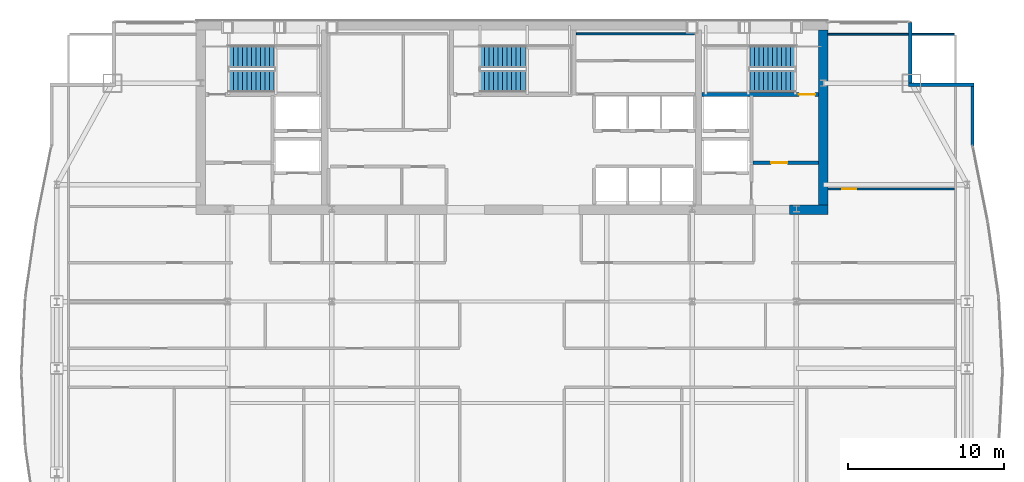
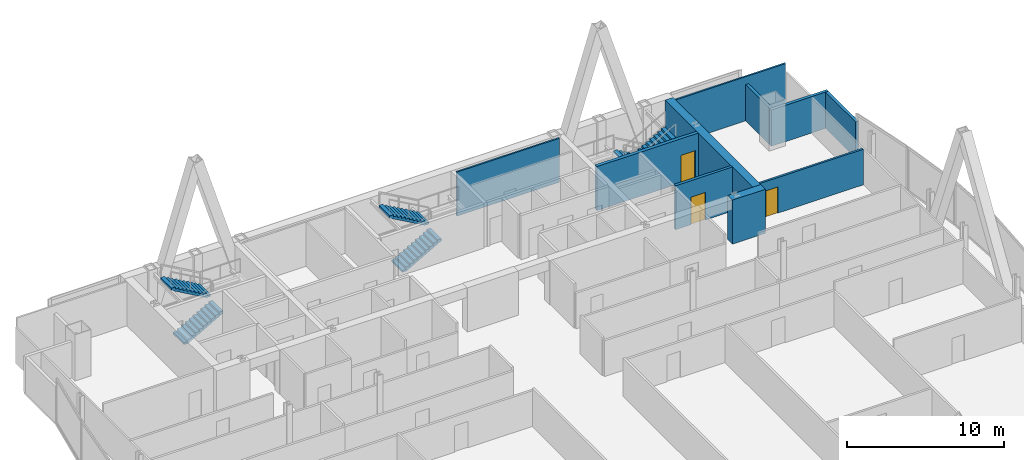
# One storey, part 30 of 32: 10 walls, 6 stair flights, 3 doors, 3 openings, 3 elements without a shape of their own.
"""IFC4 building model written with IfcOpenShell, lengths in metres."""

import ifcopenshell
import ifcopenshell.guid

model = None  # the IFC model being written
_history = None  # IfcOwnerHistory: only IFC2X3 demands one
_inside = {}  # id of a spatial element -> (the spatial element, [elements in it])
_under = {}  # id of a project, library or spatial element -> (it, [spatial elements below it])
_declared = {}  # id of a project -> (the project, [libraries it declares])
_typed = {}  # id of a type object -> (the type object, [elements of that type])
_made_of = {}  # id of a material, layer set ... -> (it, [elements and type objects made of it])


def new_model(schema):
    """Start an empty IFC model of exactly this schema.

    Asked for "IFC4X3", IfcOpenShell would pick the latest addendum, in which some entities
    have other attributes; the version numbers below select the first issue.
    IFC2X3 requires an IfcOwnerHistory on every rooted entity: one is made here for all.
    """
    global model, _history
    if schema == "IFC4X3":
        model = ifcopenshell.file(schema_version=(4, 3, 0, 0))
    else:
        model = ifcopenshell.file(schema=schema)
    _inside.clear()
    _under.clear()
    _declared.clear()
    _typed.clear()
    _made_of.clear()
    _history = None
    if model.schema == "IFC2X3":
        org = make("IfcOrganization", Name="unknown")
        user = make(
            "IfcPersonAndOrganization",
            ThePerson=make("IfcPerson", FamilyName="unknown"),
            TheOrganization=org,
        )
        app = make(
            "IfcApplication",
            ApplicationDeveloper=org,
            Version="unknown",
            ApplicationFullName="unknown",
            ApplicationIdentifier="unknown",
        )
        _history = make(
            "IfcOwnerHistory",
            OwningUser=user,
            OwningApplication=app,
            ChangeAction="ADDED",
            CreationDate=0,
        )
    return model


def make(cls, **values):
    """One entity of the class cls with the attributes given. An attribute that is None is left unset."""
    return model.create_entity(
        cls, **{name: value for name, value in values.items() if value is not None}
    )


def rooted(cls, **values):
    """An entity with a GlobalId (a new one), such as an element, a storey or a relation."""
    return make(cls, GlobalId=ifcopenshell.guid.new(), OwnerHistory=_history, **values)


def si_unit(unit_type, name, prefix=None):
    """IfcSIUnit, for example si_unit("LENGTHUNIT", "METRE", prefix="MILLI")."""
    return make("IfcSIUnit", UnitType=unit_type, Prefix=prefix, Name=name)


def assignment(units):
    """IfcUnitAssignment: the units of a project."""
    return None if units is None else make("IfcUnitAssignment", Units=units)


def point(xyz):
    """IfcCartesianPoint."""
    return None if xyz is None else make("IfcCartesianPoint", Coordinates=xyz)


def direction(xyz):
    """IfcDirection."""
    return None if xyz is None else make("IfcDirection", DirectionRatios=xyz)


def frame(location, z_axis=None, x_axis=None):
    """IfcAxis2Placement3D, a coordinate frame: its origin and axes. An axis left out is left unset."""
    return make(
        "IfcAxis2Placement3D",
        Location=point(location),
        Axis=direction(z_axis),
        RefDirection=direction(x_axis),
    )


def frame_2d(location, x_axis=None):
    """IfcAxis2Placement2D, a coordinate frame in the plane: its origin and x axis."""
    return make(
        "IfcAxis2Placement2D", Location=point(location), RefDirection=direction(x_axis)
    )


def origin():
    """The frame at (0, 0, 0) with its axes left unset."""
    return frame((0.0, 0.0, 0.0))


def place(relative_to, where):
    """IfcLocalPlacement: puts the frame where relative to a parent placement (None: the world)."""
    return make(
        "IfcLocalPlacement", PlacementRelTo=relative_to, RelativePlacement=where
    )


def context(
    kind, dimensions, precision=None, world=None, true_north=None, identifier=None
):
    """IfcGeometricRepresentationContext, for example the 3D "Model" context."""
    return make(
        "IfcGeometricRepresentationContext",
        ContextIdentifier=identifier,
        ContextType=kind,
        CoordinateSpaceDimension=dimensions,
        Precision=precision,
        WorldCoordinateSystem=world,
        TrueNorth=true_north,
    )


def subcontext(parent, identifier, kind, view, scale=None):
    """IfcGeometricRepresentationSubContext, for example "Body" below "Model"."""
    return make(
        "IfcGeometricRepresentationSubContext",
        ContextIdentifier=identifier,
        ContextType=kind,
        ParentContext=parent,
        TargetScale=scale,
        TargetView=view,
    )


def project(units=None, contexts=None):
    """IfcProject with its units and contexts."""
    return rooted(
        "IfcProject",
        Name="project",
        RepresentationContexts=contexts,
        UnitsInContext=assignment(units),
    )


def spatial(cls, under=None, at=None, **own):
    """A site, building, storey or space (cls), placed at a placement, below another one or the project."""
    s = rooted(cls, ObjectPlacement=at, **own)
    if under is not None:
        _under.setdefault(under.id(), (under, []))[1].append(s)
    return s


def polyline(points):
    """IfcPolyline through the points."""
    return make("IfcPolyline", Points=[point(p) for p in points])


def profile(cls, at=None, kind="AREA", **sizes):
    """A parametric profile (cls). Its sizes go by their IFC names, for example OverallWidth=200.0."""
    return make(cls, ProfileType=kind, Position=at, **sizes)


def rectangle(**sizes):
    """IfcRectangleProfileDef."""
    return profile("IfcRectangleProfileDef", **sizes)


def outline(outer, holes=None, kind="AREA"):
    """IfcArbitraryClosedProfileDef: a profile drawn as a closed curve; with holes, ...WithVoids."""
    if holes is None:
        return make("IfcArbitraryClosedProfileDef", ProfileType=kind, OuterCurve=outer)
    return make(
        "IfcArbitraryProfileDefWithVoids",
        ProfileType=kind,
        OuterCurve=outer,
        InnerCurves=holes,
    )


def extrude(swept, where, along, depth):
    """IfcExtrudedAreaSolid: the profile swept, set in the frame where, extruded along a direction by depth."""
    return make(
        "IfcExtrudedAreaSolid",
        SweptArea=swept,
        Position=where,
        ExtrudedDirection=direction(along),
        Depth=depth,
    )


def shape(context_of_items, identifier, shape_type, items):
    """IfcShapeRepresentation: the items that make up one representation, for example the "Body"."""
    return make(
        "IfcShapeRepresentation",
        ContextOfItems=context_of_items,
        RepresentationIdentifier=identifier,
        RepresentationType=shape_type,
        Items=items,
    )


def material(Name=None, Category=None):
    """IfcMaterial."""
    return make("IfcMaterial", Name=Name, Category=Category)


def layer(
    of_material, thickness, ventilated=None, Name=None, Category=None, Priority=None
):
    """IfcMaterialLayer: one layer of a wall or slab, of a material (None: an air gap)."""
    return make(
        "IfcMaterialLayer",
        Material=of_material,
        LayerThickness=thickness,
        IsVentilated=ventilated,
        Name=Name,
        Category=Category,
        Priority=Priority,
    )


def layer_set(layers, Name=None):
    """IfcMaterialLayerSet."""
    return make("IfcMaterialLayerSet", MaterialLayers=layers, LayerSetName=Name)


def made_of(thing, what):
    """Note that an element or type object is made of a material, layer set ...; save() writes the relation."""
    if what is not None:
        _made_of.setdefault(what.id(), (what, []))[1].append(thing)
    return thing


def type_object(cls, material=None, **own):
    """A type object (cls), such as IfcWallType, which elements share."""
    return made_of(rooted(cls, **own), material)


def element(
    cls,
    number,
    at=None,
    inside=None,
    cuts=None,
    type_object=None,
    material=None,
    context=None,
    identifier="Body",
    shape_type=None,
    held_by="IfcProductDefinitionShape",
    body=None,
    shapes=None,
    **own,
):
    """One element of the class cls, such as IfcWall. Its Tag is "e" and its number.

    at: its placement. inside: the storey or other place that contains it. cuts: it is an
    opening in that element (IfcRelVoidsElement). A single representation is given by context,
    identifier, shape_type and body (its items); several are given by shapes. held_by: the class
    of the entity that holds the representations. save() writes the other relations.
    """
    e = rooted(cls, Tag="e%d" % number, ObjectPlacement=at, **own)
    if body is not None:
        shapes = [shape(context, identifier, shape_type, body)]
    if shapes is not None:
        e.Representation = make(held_by, Representations=shapes)
    if inside is not None:
        _inside.setdefault(inside.id(), (inside, []))[1].append(e)
    if cuts is not None:
        rooted(
            "IfcRelVoidsElement", RelatingBuildingElement=cuts, RelatedOpeningElement=e
        )
    if type_object is not None:
        _typed.setdefault(type_object.id(), (type_object, []))[1].append(e)
    return made_of(e, material)


def fill(opening, filler):
    """IfcRelFillsElement: the door or window that sits in an opening."""
    return rooted(
        "IfcRelFillsElement",
        RelatingOpeningElement=opening,
        RelatedBuildingElement=filler,
    )


def aggregate(whole, parts):
    """IfcRelAggregates: a whole, such as a stair, and the parts it consists of."""
    return rooted("IfcRelAggregates", RelatingObject=whole, RelatedObjects=parts)


def save(model, path):
    """Write the relations noted so far, then the file.

    IfcRelAggregates (storeys below a building ...), IfcRelContainedInSpatialStructure (elements
    in a storey), IfcRelDefinesByType, IfcRelAssociatesMaterial and IfcRelDeclares: one each for
    every whole, place, type object, material and project.
    """
    for whole, parts in _under.values():
        aggregate(whole, parts)
    for where, things in _inside.values():
        rooted(
            "IfcRelContainedInSpatialStructure",
            RelatedElements=things,
            RelatingStructure=where,
        )
    for kind, things in _typed.values():
        rooted("IfcRelDefinesByType", RelatedObjects=things, RelatingType=kind)
    for what, things in _made_of.values():
        rooted("IfcRelAssociatesMaterial", RelatedObjects=things, RelatingMaterial=what)
    for by, libraries in _declared.values():
        rooted("IfcRelDeclares", RelatingContext=by, RelatedDefinitions=libraries)
    model.write(path)


model = new_model("IFC4")

# Units and contexts
model_context = context("Model", 3, precision=1e-05, world=origin(), true_north=direction((0.0, 1.0)))
body_context = subcontext(model_context, "Body", "Model", "MODEL_VIEW")
ifc_project = project(units=[si_unit("LENGTHUNIT", "METRE"), si_unit("AREAUNIT", "SQUARE_METRE"), si_unit("VOLUMEUNIT", "CUBIC_METRE"), si_unit("PLANEANGLEUNIT", "RADIAN"), si_unit("MASSUNIT", "GRAM", prefix="KILO")], contexts=[model_context])

# Site, building, storey
site_placement = place(None, origin())
site = spatial("IfcSite", under=ifc_project, at=site_placement, CompositionType="ELEMENT")
building_placement = place(site_placement, origin())
building = spatial("IfcBuilding", under=site, at=building_placement, Name="Khoronbel Lancet Exchange", CompositionType="ELEMENT")
storey_placement = place(building_placement, frame((0.0, 0.0, 221.0)))
storey = spatial("IfcBuildingStorey", under=building, at=storey_placement, Name="L56", CompositionType="ELEMENT", Elevation=221.0)

# Walls
ifc_material_1 = material(Name="Concrete C60/75", Category="concrete")
ifc_layer_1 = layer(ifc_material_1, 0.60009765625, Name="Concrete C60/75")
ifc_layer_set_1 = layer_set([ifc_layer_1], Name="Concrete C60/75")
wall_type_1 = type_object("IfcWallType", Name="WL-CW3", PredefinedType="SHEAR", material=ifc_layer_set_1)
wall_1_placement = place(storey_placement, frame((56.39990234375, 53.10009765625, 0.0), z_axis=(0.0, 0.0, 1.0), x_axis=(0.0, -1.0, 0.0)))
element("IfcWall", 1, at=wall_1_placement, inside=storey, type_object=wall_type_1, Name="Level L56 rear core east shear wall", PredefinedType="SHEAR", context=body_context, shape_type="SweptSolid", body=[
    extrude(rectangle(XDim=11.2001953125, YDim=0.60009765625, at=frame_2d((5.60009765625, 0.0))), origin(), (0.0, 0.0, 1.0), 3.43994140625),
])
wall_2_placement = place(storey_placement, frame((56.699951171875, 41.60009765625, 0.0), z_axis=(0.0, 0.0, 1.0), x_axis=(-1.0, 0.0, 0.0)))
element("IfcWall", 2, at=wall_2_placement, inside=storey, type_object=wall_type_1, Name="Level L56 rear core south shear wall pier P5", PredefinedType="SHEAR", context=body_context, shape_type="SweptSolid", body=[
    extrude(rectangle(XDim=2.449951171875, YDim=0.60009765625, at=frame_2d((1.22509765625, 0.0))), origin(), (0.0, 0.0, 1.0), 3.43994140625),
])
ifc_material_2 = material(Name="Precast concrete C40/50", Category="concrete")
ifc_layer_2 = layer(ifc_material_2, 0.25, Name="Precast concrete C40/50")
ifc_layer_set_2 = layer_set([ifc_layer_2], Name="Precast concrete C40/50")
wall_type_2 = type_object("IfcWallType", Name="WL-EXT250", PredefinedType="SOLIDWALL", material=ifc_layer_set_2)
wall_3_placement = place(storey_placement, frame((61.9599609375, 53.6298828125, 0.0), z_axis=(0.0, 0.0, 1.0), x_axis=(0.0, -1.0, 0.0)))
element("IfcWall", 3, at=wall_3_placement, inside=storey, type_object=wall_type_2, Name="Level L56 notched-corner limestone pier 14", PredefinedType="SOLIDWALL", context=body_context, shape_type="SweptSolid", body=[
    extrude(rectangle(XDim=3.909912109375, YDim=0.219970703125, at=frame_2d((1.955078125, 0.0))), origin(), (0.0, 0.0, 1.0), 2.830078125),
])
wall_4_placement = place(storey_placement, frame((61.85009765625, 49.610107421875, 0.0), z_axis=(0.0, 0.0, 1.0), x_axis=(1.0, 0.0, 0.0)))
element("IfcWall", 4, at=wall_4_placement, inside=storey, type_object=wall_type_2, Name="Level L56 notched-corner limestone pier 15", PredefinedType="SOLIDWALL", context=body_context, shape_type="SweptSolid", body=[
    extrude(rectangle(XDim=4.219970703125, YDim=0.219970703125, at=frame_2d((2.10986328125, 0.0))), origin(), (0.0, 0.0, 1.0), 2.830078125),
])
wall_5_placement = place(storey_placement, frame((65.9599609375, 49.5, 0.0), z_axis=(0.0, 0.0, 1.0), x_axis=(0.0, -1.0, 0.0)))
element("IfcWall", 5, at=wall_5_placement, inside=storey, type_object=wall_type_2, Name="Level L56 notched-corner limestone pier 16", PredefinedType="SOLIDWALL", context=body_context, shape_type="SweptSolid", body=[
    extrude(rectangle(XDim=3.828857421875, YDim=0.219970703125, at=frame_2d((1.91455078125, 0.0))), origin(), (0.0, 0.0, 1.0), 2.830078125),
])

# Wall, opening, door
ifc_material_3 = material(Name="Acoustic Metal-Stud & Mineral-Wool Gypsum Partition 120 mm", Category="gypsum")
ifc_layer_3 = layer(ifc_material_3, 0.1201171875, Name="Acoustic Metal-Stud & Mineral-Wool Gypsum Partition 120 mm")
ifc_layer_set_3 = layer_set([ifc_layer_3], Name="Acoustic Metal-Stud & Mineral-Wool Gypsum Partition 120 mm")
wall_type_3 = type_object("IfcWallType", Name="WL-PRT120", PredefinedType="PARTITIONING", material=ifc_layer_set_3)
wall_6_placement = place(storey_placement, frame((56.699951171875, 42.919921875, 0.0), z_axis=(0.0, 0.0, 1.0), x_axis=(1.0, 0.0, 0.0)))
wall_6 = element("IfcWall", 6, at=wall_6_placement, inside=storey, type_object=wall_type_3, Name="Level L56 interior partition PW-NE-H", PredefinedType="PARTITIONING", context=body_context, shape_type="SweptSolid", body=[
    extrude(rectangle(XDim=8.10498046875, YDim=0.14990234375, at=frame_2d((4.052490234375, 0.0))), origin(), (0.0, 0.0, 1.0), 2.780029296875),
])
opening_1_placement = place(wall_6_placement, frame((0.89990234375, 0.0, 0.0)))
opening_1 = element("IfcOpeningElement", 7, at=opening_1_placement, cuts=wall_6, Name="Opening D5", PredefinedType="OPENING", context=body_context, shape_type="SweptSolid", body=[
    extrude(rectangle(XDim=0.89990234375, YDim=2.050048828125, at=frame_2d((0.449951171875, 1.02490234375))), frame((0.0, 0.0849609375, 0.0), z_axis=(0.0, -1.0, 0.0), x_axis=(1.0, 0.0, 0.0)), (0.0, 0.0, 1.0), 0.169921875),
])
ifc_material_4 = material(Name="Acoustic Timber Pantry & Support Door", Category="wood")
door_type_1 = type_object("IfcDoorType", Name="DR-D5", OperationType="NOTDEFINED", PredefinedType="DOOR", material=ifc_material_4)
door_1_placement = place(opening_1_placement, origin())
door_1 = element("IfcDoor", 8, at=door_1_placement, inside=storey, type_object=door_type_1, Name="NE north room door L56-1", OperationType="SINGLE_SWING_LEFT", OverallHeight=2.050048828125, OverallWidth=0.89990234375, PredefinedType="DOOR", context=body_context, shape_type="SweptSolid", body=[
    extrude(rectangle(XDim=0.89990234375, YDim=2.050048828125, at=frame_2d((0.449951171875, 1.02490234375))), frame((0.0, 0.02490234375, 0.0), z_axis=(0.0, -1.0, 0.0), x_axis=(1.0, 0.0, 0.0)), (0.0, 0.0, 1.0), 0.050048828125),
])
fill(opening_1, door_1)

# Walls
wall_7_placement = place(storey_placement, frame((56.699951171875, 52.840087890625, 0.0), z_axis=(0.0, 0.0, 1.0), x_axis=(1.0, 0.0, 0.0)))
element("IfcWall", 9, at=wall_7_placement, inside=storey, type_object=wall_type_3, Name="Level L56 interior partition PW-LIN-NE", PredefinedType="PARTITIONING", context=body_context, shape_type="SweptSolid", body=[
    extrude(rectangle(XDim=8.10498046875, YDim=0.1201171875, at=frame_2d((4.052490234375, 0.0))), origin(), (0.0, 0.0, 1.0), 3.43994140625),
])
ifc_material_5 = material(Name="Fire-Rated Metal-Stud & Mineral-Wool Gypsum Partition 120 mm", Category="gypsum")
ifc_layer_4 = layer(ifc_material_5, 0.1201171875, Name="Fire-Rated Metal-Stud & Mineral-Wool Gypsum Partition 120 mm")
ifc_layer_set_4 = layer_set([ifc_layer_4], Name="Fire-Rated Metal-Stud & Mineral-Wool Gypsum Partition 120 mm")
wall_type_4 = type_object("IfcWallType", Name="WL-PRT120F", PredefinedType="PARTITIONING", material=ifc_layer_set_4)
wall_8_placement = place(storey_placement, frame((40.580078125, 52.860107421875, 0.0), z_axis=(0.0, 0.0, 1.0), x_axis=(1.0, 0.0, 0.0)))
element("IfcWall", 10, at=wall_8_placement, inside=storey, type_object=wall_type_4, Name="Level L56 interior partition CW-SUP-NE-N", PredefinedType="PARTITIONING", context=body_context, shape_type="SweptSolid", body=[
    extrude(rectangle(XDim=7.559814453125, YDim=0.1201171875, at=frame_2d((3.77978515625, 0.0))), origin(), (0.0, 0.0, 1.0), 3.43994140625),
])

# Wall, opening, door
ifc_material_6 = material(Name="Autoclaved Aerated Concrete Blockwork 200 mm", Category="masonry")
ifc_layer_5 = layer(ifc_material_6, 0.199951171875, Name="Autoclaved Aerated Concrete Blockwork 200 mm")
ifc_layer_set_5 = layer_set([ifc_layer_5], Name="Autoclaved Aerated Concrete Blockwork 200 mm")
wall_type_5 = type_object("IfcWallType", Name="WL-PRT200", PredefinedType="PARTITIONING", material=ifc_layer_set_5)
wall_9_placement = place(storey_placement, frame((51.89990234375, 44.60009765625, 0.0), z_axis=(0.0, 0.0, 1.0), x_axis=(1.0, 0.0, 0.0)))
wall_9 = element("IfcWall", 11, at=wall_9_placement, inside=storey, type_object=wall_type_5, Name="Level L56 interior partition CW-FFLE-S", PredefinedType="PARTITIONING", context=body_context, shape_type="SweptSolid", body=[
    extrude(rectangle(XDim=4.2001953125, YDim=0.199951171875, at=frame_2d((2.10009765625, 0.0))), origin(), (0.0, 0.0, 1.0), 3.43994140625),
])
opening_2_placement = place(wall_9_placement, frame((1.14990234375, 0.0, 0.0)))
opening_2 = element("IfcOpeningElement", 12, at=opening_2_placement, cuts=wall_9, Name="Opening FD1", PredefinedType="OPENING", context=body_context, shape_type="SweptSolid", body=[
    extrude(rectangle(XDim=1.050048828125, YDim=2.14990234375, at=frame_2d((0.52490234375, 1.074951171875))), frame((0.0, 0.10986328125, 0.0), z_axis=(0.0, -1.0, 0.0), x_axis=(1.0, 0.0, 0.0)), (0.0, 0.0, 1.0), 0.219970703125),
])
ifc_material_7 = material(Name="Fire-Rated Painted Steel Door Assembly", Category="steel")
door_type_2 = type_object("IfcDoorType", Name="DR-FD1", OperationType="NOTDEFINED", PredefinedType="DOOR", material=ifc_material_7)
door_2_placement = place(opening_2_placement, origin())
door_2 = element("IfcDoor", 13, at=door_2_placement, inside=storey, type_object=door_type_2, Name="East firefighting lobby FD90S door L56-1", OperationType="SINGLE_SWING_LEFT", OverallHeight=2.14990234375, OverallWidth=1.050048828125, PredefinedType="DOOR", context=body_context, shape_type="SweptSolid", body=[
    extrude(rectangle(XDim=1.050048828125, YDim=2.14990234375, at=frame_2d((0.52490234375, 1.074951171875))), frame((0.0, 0.02490234375, 0.0), z_axis=(0.0, -1.0, 0.0), x_axis=(1.0, 0.0, 0.0)), (0.0, 0.0, 1.0), 0.050048828125),
])
fill(opening_2, door_2)

ifc_layer_6 = layer(ifc_material_1, 0.260009765625, Name="Concrete C60/75")
ifc_layer_set_6 = layer_set([ifc_layer_6], Name="Concrete C60/75")
wall_type_6 = type_object("IfcWallType", Name="WL-SW3", PredefinedType="SHEAR", material=ifc_layer_set_6)
wall_10_placement = place(storey_placement, frame((48.6298828125, 48.97998046875, 0.0), z_axis=(0.0, 0.0, 1.0), x_axis=(1.0, 0.0, 0.0)))
wall_10 = element("IfcWall", 14, at=wall_10_placement, inside=storey, type_object=wall_type_6, Name="Level L56 east stairwell structural south wall", PredefinedType="SHEAR", context=body_context, shape_type="SweptSolid", body=[
    extrude(rectangle(XDim=7.47021484375, YDim=0.239990234375, at=frame_2d((3.735107421875, 0.0))), origin(), (0.0, 0.0, 1.0), 3.43994140625),
])
opening_3_placement = place(wall_10_placement, frame((6.199951171875, 0.0, 0.0)))
opening_3 = element("IfcOpeningElement", 15, at=opening_3_placement, cuts=wall_10, Name="Opening SD1", PredefinedType="OPENING", context=body_context, shape_type="SweptSolid", body=[
    extrude(rectangle(XDim=1.050048828125, YDim=2.14990234375, at=frame_2d((0.52490234375, 1.074951171875))), frame((0.0, 0.1298828125, 0.0), z_axis=(0.0, -1.0, 0.0), x_axis=(1.0, 0.0, 0.0)), (0.0, 0.0, 1.0), 0.260009765625),
])
ifc_material_8 = material(Name="Fire-Rated Steel Stairwell Door Assembly", Category="steel")
door_type_3 = type_object("IfcDoorType", Name="DR-SD1", OperationType="NOTDEFINED", PredefinedType="DOOR", material=ifc_material_8)
door_3_placement = place(opening_3_placement, origin())
door_3 = element("IfcDoor", 16, at=door_3_placement, inside=storey, type_object=door_type_3, Name="Protected exit stair ST2 door L56", OperationType="SINGLE_SWING_RIGHT", OverallHeight=2.14990234375, OverallWidth=1.050048828125, PredefinedType="DOOR", context=body_context, shape_type="SweptSolid", body=[
    extrude(rectangle(XDim=1.050048828125, YDim=2.14990234375, at=frame_2d((0.52490234375, 1.074951171875))), frame((0.0, 0.02490234375, 0.0), z_axis=(0.0, -1.0, 0.0), x_axis=(1.0, 0.0, 0.0)), (0.0, 0.0, 1.0), 0.050048828125),
])
fill(opening_3, door_3)

# Stair, stair flights
ifc_material_9 = material(Name="Concrete C40/50", Category="concrete")
stair_type = type_object("IfcStairType", Name="STR-CORE150", PredefinedType="HALF_TURN_STAIR", material=ifc_material_9)
stair_1_placement = place(storey_placement, origin())
stair_1 = element("IfcStair", 17, at=stair_1_placement, inside=storey, type_object=stair_type, Name="L56 Protected Exit Stair ST1", PredefinedType="HALF_TURN_STAIR")
stair_flight_type = type_object("IfcStairFlightType", Name="STF-150", PredefinedType="STRAIGHT", material=ifc_material_9)
stair_flight_1_placement = place(storey_placement, frame((18.300048828125, 49.81005859375, 0.0), z_axis=(0.0, 0.0, 1.0), x_axis=(1.0, 0.0, 0.0)))
stair_flight_1 = element("IfcStairFlight", 18, at=stair_flight_1_placement, type_object=stair_flight_type, Name="ST1 flight 1", NumberOfRisers=11, NumberOfTreads=10, PredefinedType="STRAIGHT", RiserHeight=0.163636364, TreadLength=0.29, context=body_context, shape_type="SweptSolid", body=[
    extrude(outline(polyline([(0.0, 0.0), (0.0, 0.16357421875), (0.2900390625, 0.16357421875), (0.2900390625, 0.327392578125), (0.580078125, 0.327392578125), (0.580078125, 0.490966796875), (0.8701171875, 0.490966796875), (0.8701171875, 0.654541015625), (1.159912109375, 0.654541015625), (1.159912109375, 0.818115234375), (1.449951171875, 0.818115234375), (1.449951171875, 0.98193359375), (1.739990234375, 0.98193359375), (1.739990234375, 1.1455078125), (2.030029296875, 1.1455078125), (2.030029296875, 1.30908203125), (2.320068359375, 1.30908203125), (2.320068359375, 1.47265625), (2.610107421875, 1.47265625), (2.610107421875, 1.636474609375), (2.89990234375, 1.636474609375), (2.89990234375, 1.800048828125), (2.89990234375, 1.46435546875), (0.304931640625, 0.0), (0.0, 0.0)])), frame((0.0, 0.68994140625, 0.0), z_axis=(0.0, -1.0, 0.0), x_axis=(1.0, 0.0, 0.0)), (0.0, 0.0, 1.0), 1.3798828125),
])
stair_flight_2_placement = place(storey_placement, frame((21.199951171875, 51.409912109375, 1.800048828125), z_axis=(0.0, 0.0, 1.0), x_axis=(-1.0, 0.0, 0.0)))
stair_flight_2 = element("IfcStairFlight", 19, at=stair_flight_2_placement, type_object=stair_flight_type, Name="ST1 flight 2", NumberOfRisers=11, NumberOfTreads=10, PredefinedType="STRAIGHT", RiserHeight=0.163636364, TreadLength=0.29, context=body_context, shape_type="SweptSolid", body=[
    extrude(outline(polyline([(0.0, 0.0), (0.0, 0.16357421875), (0.2900390625, 0.16357421875), (0.2900390625, 0.327392578125), (0.580078125, 0.327392578125), (0.580078125, 0.490966796875), (0.8701171875, 0.490966796875), (0.8701171875, 0.654541015625), (1.159912109375, 0.654541015625), (1.159912109375, 0.818115234375), (1.449951171875, 0.818115234375), (1.449951171875, 0.98193359375), (1.739990234375, 0.98193359375), (1.739990234375, 1.1455078125), (2.030029296875, 1.1455078125), (2.030029296875, 1.30908203125), (2.320068359375, 1.30908203125), (2.320068359375, 1.47265625), (2.610107421875, 1.47265625), (2.610107421875, 1.636474609375), (2.89990234375, 1.636474609375), (2.89990234375, 1.800048828125), (2.89990234375, 1.46435546875), (0.304931640625, 0.0), (0.0, 0.0)])), frame((0.0, 0.68994140625, 0.0), z_axis=(0.0, -1.0, 0.0), x_axis=(1.0, 0.0, 0.0)), (0.0, 0.0, 1.0), 1.3798828125),
])
aggregate(stair_1, [stair_flight_1, stair_flight_2])

stair_2_placement = place(storey_placement, origin())
stair_2 = element("IfcStair", 20, at=stair_2_placement, inside=storey, type_object=stair_type, Name="L56 Protected Exit Stair ST2", PredefinedType="HALF_TURN_STAIR")
stair_flight_3_placement = place(storey_placement, frame((54.60009765625, 51.409912109375, 0.0), z_axis=(0.0, 0.0, 1.0), x_axis=(-1.0, 0.0, 0.0)))
stair_flight_3 = element("IfcStairFlight", 21, at=stair_flight_3_placement, type_object=stair_flight_type, Name="ST2 flight 1", NumberOfRisers=11, NumberOfTreads=10, PredefinedType="STRAIGHT", RiserHeight=0.163636364, TreadLength=0.29, context=body_context, shape_type="SweptSolid", body=[
    extrude(outline(polyline([(0.0, 0.0), (0.0, 0.16357421875), (0.2900390625, 0.16357421875), (0.2900390625, 0.327392578125), (0.580078125, 0.327392578125), (0.580078125, 0.490966796875), (0.8701171875, 0.490966796875), (0.8701171875, 0.654541015625), (1.159912109375, 0.654541015625), (1.159912109375, 0.818115234375), (1.449951171875, 0.818115234375), (1.449951171875, 0.98193359375), (1.739990234375, 0.98193359375), (1.739990234375, 1.1455078125), (2.030029296875, 1.1455078125), (2.030029296875, 1.30908203125), (2.320068359375, 1.30908203125), (2.320068359375, 1.47265625), (2.610107421875, 1.47265625), (2.610107421875, 1.636474609375), (2.89990234375, 1.636474609375), (2.89990234375, 1.800048828125), (2.89990234375, 1.46435546875), (0.304931640625, 0.0), (0.0, 0.0)])), frame((0.0, 0.68994140625, 0.0), z_axis=(0.0, -1.0, 0.0), x_axis=(1.0, 0.0, 0.0)), (0.0, 0.0, 1.0), 1.3798828125),
])
stair_flight_4_placement = place(storey_placement, frame((51.699951171875, 49.81005859375, 1.800048828125), z_axis=(0.0, 0.0, 1.0), x_axis=(1.0, 0.0, 0.0)))
stair_flight_4 = element("IfcStairFlight", 22, at=stair_flight_4_placement, type_object=stair_flight_type, Name="ST2 flight 2", NumberOfRisers=11, NumberOfTreads=10, PredefinedType="STRAIGHT", RiserHeight=0.163636364, TreadLength=0.29, context=body_context, shape_type="SweptSolid", body=[
    extrude(outline(polyline([(0.0, 0.0), (0.0, 0.16357421875), (0.2900390625, 0.16357421875), (0.2900390625, 0.327392578125), (0.580078125, 0.327392578125), (0.580078125, 0.490966796875), (0.8701171875, 0.490966796875), (0.8701171875, 0.654541015625), (1.159912109375, 0.654541015625), (1.159912109375, 0.818115234375), (1.449951171875, 0.818115234375), (1.449951171875, 0.98193359375), (1.739990234375, 0.98193359375), (1.739990234375, 1.1455078125), (2.030029296875, 1.1455078125), (2.030029296875, 1.30908203125), (2.320068359375, 1.30908203125), (2.320068359375, 1.47265625), (2.610107421875, 1.47265625), (2.610107421875, 1.636474609375), (2.89990234375, 1.636474609375), (2.89990234375, 1.800048828125), (2.89990234375, 1.46435546875), (0.304931640625, 0.0), (0.0, 0.0)])), frame((0.0, 0.68994140625, 0.0), z_axis=(0.0, -1.0, 0.0), x_axis=(1.0, 0.0, 0.0)), (0.0, 0.0, 1.0), 1.3798828125),
])
aggregate(stair_2, [stair_flight_3, stair_flight_4])

stair_3_placement = place(storey_placement, origin())
stair_3 = element("IfcStair", 23, at=stair_3_placement, inside=storey, type_object=stair_type, Name="L56 Protected Exit Stair ST3", PredefinedType="HALF_TURN_STAIR")
stair_flight_5_placement = place(storey_placement, frame((34.39990234375, 49.81005859375, 0.0), z_axis=(0.0, 0.0, 1.0), x_axis=(1.0, 0.0, 0.0)))
stair_flight_5 = element("IfcStairFlight", 24, at=stair_flight_5_placement, type_object=stair_flight_type, Name="ST3 flight 1", NumberOfRisers=11, NumberOfTreads=10, PredefinedType="STRAIGHT", RiserHeight=0.163636364, TreadLength=0.29, context=body_context, shape_type="SweptSolid", body=[
    extrude(outline(polyline([(0.0, 0.0), (0.0, 0.16357421875), (0.2900390625, 0.16357421875), (0.2900390625, 0.327392578125), (0.580078125, 0.327392578125), (0.580078125, 0.490966796875), (0.8701171875, 0.490966796875), (0.8701171875, 0.654541015625), (1.159912109375, 0.654541015625), (1.159912109375, 0.818115234375), (1.449951171875, 0.818115234375), (1.449951171875, 0.98193359375), (1.739990234375, 0.98193359375), (1.739990234375, 1.1455078125), (2.030029296875, 1.1455078125), (2.030029296875, 1.30908203125), (2.320068359375, 1.30908203125), (2.320068359375, 1.47265625), (2.610107421875, 1.47265625), (2.610107421875, 1.636474609375), (2.89990234375, 1.636474609375), (2.89990234375, 1.800048828125), (2.89990234375, 1.46435546875), (0.304931640625, 0.0), (0.0, 0.0)])), frame((0.0, 0.68994140625, 0.0), z_axis=(0.0, -1.0, 0.0), x_axis=(1.0, 0.0, 0.0)), (0.0, 0.0, 1.0), 1.3798828125),
])
stair_flight_6_placement = place(storey_placement, frame((37.300048828125, 51.409912109375, 1.800048828125), z_axis=(0.0, 0.0, 1.0), x_axis=(-1.0, 0.0, 0.0)))
stair_flight_6 = element("IfcStairFlight", 25, at=stair_flight_6_placement, type_object=stair_flight_type, Name="ST3 flight 2", NumberOfRisers=11, NumberOfTreads=10, PredefinedType="STRAIGHT", RiserHeight=0.163636364, TreadLength=0.29, context=body_context, shape_type="SweptSolid", body=[
    extrude(outline(polyline([(0.0, 0.0), (0.0, 0.16357421875), (0.2900390625, 0.16357421875), (0.2900390625, 0.327392578125), (0.580078125, 0.327392578125), (0.580078125, 0.490966796875), (0.8701171875, 0.490966796875), (0.8701171875, 0.654541015625), (1.159912109375, 0.654541015625), (1.159912109375, 0.818115234375), (1.449951171875, 0.818115234375), (1.449951171875, 0.98193359375), (1.739990234375, 0.98193359375), (1.739990234375, 1.1455078125), (2.030029296875, 1.1455078125), (2.030029296875, 1.30908203125), (2.320068359375, 1.30908203125), (2.320068359375, 1.47265625), (2.610107421875, 1.47265625), (2.610107421875, 1.636474609375), (2.89990234375, 1.636474609375), (2.89990234375, 1.800048828125), (2.89990234375, 1.46435546875), (0.304931640625, 0.0), (0.0, 0.0)])), frame((0.0, 0.68994140625, 0.0), z_axis=(0.0, -1.0, 0.0), x_axis=(1.0, 0.0, 0.0)), (0.0, 0.0, 1.0), 1.3798828125),
])
aggregate(stair_3, [stair_flight_5, stair_flight_6])

save(model, "model.ifc")
